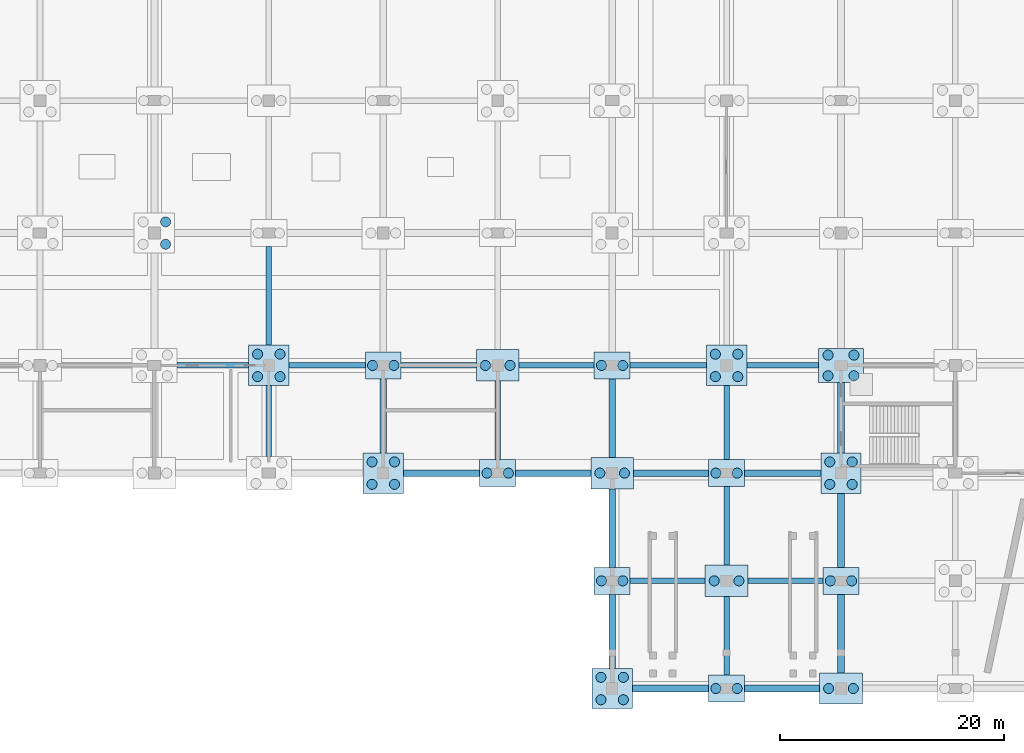
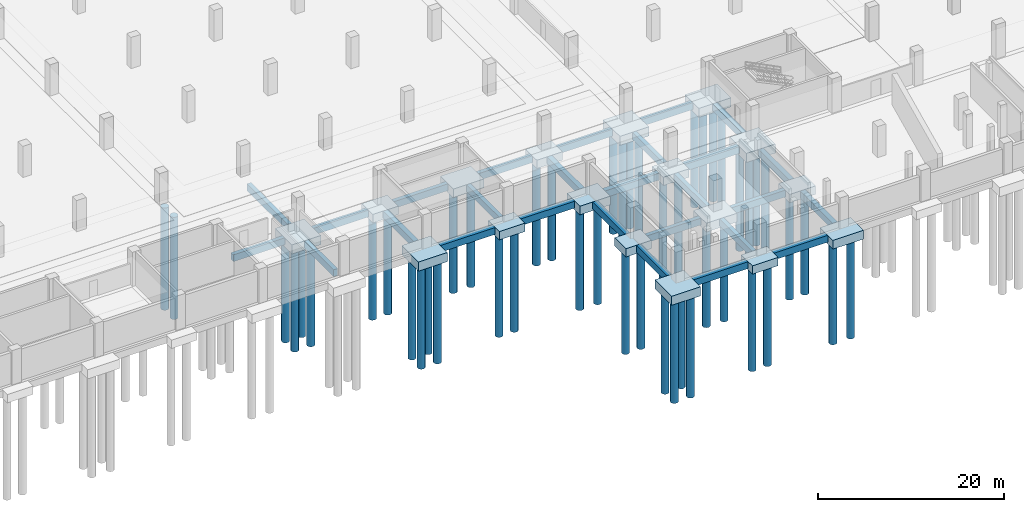
# One storey, part 3 of 52: 48 piles, 44 footings.
"""IFC4 building model written with IfcOpenShell, lengths in metres."""

from ifc_helpers import new_model, si_unit, direction, frame, origin, origin_2d, place, context, subcontext, project, spatial, polyline, rectangle, circle, outline, extrude, material, material_profile, profile_set, type_object, element, save


model = new_model("IFC4")

# Units and contexts
model_context = context("Model", 3, precision=1e-05, world=origin(), true_north=direction((0.0, 1.0)))
body_context = subcontext(model_context, "Body", "Model", "MODEL_VIEW")
ifc_project = project(units=[si_unit("LENGTHUNIT", "METRE"), si_unit("AREAUNIT", "SQUARE_METRE"), si_unit("VOLUMEUNIT", "CUBIC_METRE"), si_unit("PLANEANGLEUNIT", "RADIAN"), si_unit("MASSUNIT", "GRAM", prefix="KILO")], contexts=[model_context])

# Site, building, storey
site_placement = place(None, origin())
site = spatial("IfcSite", under=ifc_project, at=site_placement, CompositionType="ELEMENT")
building_placement = place(site_placement, origin())
building = spatial("IfcBuilding", under=site, at=building_placement, Name="Brelvane Convention Centre", CompositionType="ELEMENT")
storey_placement = place(building_placement, frame((0.0, 0.0, -4.5)))
storey = spatial("IfcBuildingStorey", under=building, at=storey_placement, Name="B1", CompositionType="ELEMENT", Elevation=-4.5)

# Piles
ifc_material_1 = material(Name="Concrete M40", Category="concrete")
ifc_material_profile_1 = material_profile(ifc_material_1, circle(Radius=0.449951171875, at=origin_2d()), Name="PILE D900")
ifc_profile_set_1 = profile_set([ifc_material_profile_1], Name="Concrete M40")
pile_type = type_object("IfcPileType", Name="Bored Pile PL-900", PredefinedType="BORED", material=ifc_profile_set_1)
for number, where, z_axis, x_axis, name in (
    (1, (62.199951171875, 39.60009765625, -1.550048828125), (0.0, 0.0, -1.0), (1.0, 0.0, 0.0), "Bored Pile PL-900 7-E-2"),
    (2, (62.199951171875, 41.60009765625, -1.550048828125), (0.0, 0.0, -1.0), (1.0, 0.0, 0.0), "Bored Pile PL-900 7-E-4"),
    (3, (70.39990234375, 27.800048828125, -1.550048828125), (0.0, 0.0, -1.0), (1.0, 0.0, 0.0), "Bored Pile PL-900 8-D-1"),
    (4, (72.39990234375, 27.800048828125, -1.550048828125), (0.0, 0.0, -1.0), (1.0, 0.0, 0.0), "Bored Pile PL-900 8-D-2"),
    (5, (70.39990234375, 29.800048828125, -1.550048828125), (0.0, 0.0, -1.0), (1.0, 0.0, 0.0), "Bored Pile PL-900 8-D-3"),
    (6, (72.39990234375, 29.800048828125, -1.550048828125), (0.0, 0.0, -1.0), (1.0, 0.0, 0.0), "Bored Pile PL-900 8-D-4"),
    (7, (80.60009765625, 18.199951171875, -1.550048828125), (0.0, 0.0, -1.0), (1.0, 0.0, 0.0), "Bored Pile PL-900 9-C-1"),
    (8, (82.60009765625, 18.199951171875, -1.550048828125), (0.0, 0.0, -1.0), (1.0, 0.0, 0.0), "Bored Pile PL-900 9-C-2"),
    (9, (80.60009765625, 20.199951171875, -1.550048828125), (0.0, 0.0, -1.0), (1.0, 0.0, 0.0), "Bored Pile PL-900 9-C-3"),
    (10, (82.60009765625, 20.199951171875, -1.550048828125), (0.0, 0.0, -1.0), (1.0, 0.0, 0.0), "Bored Pile PL-900 9-C-4"),
):
    element("IfcPile", number, at=place(storey_placement, frame(where, z_axis=z_axis, x_axis=x_axis)), inside=storey, type_object=pile_type, Name=name, PredefinedType="BORED", context=body_context, shape_type="SweptSolid", body=[
        extrude(circle(Radius=0.449951171875, at=origin_2d()), origin(), (0.0, 0.0, 1.0), 13.449951171875),
    ])
for number, where, z_axis, x_axis, name in (
    (11, (80.64990234375, 28.800048828125, -1.449951171875), (0.0, 0.0, -1.0), (1.0, 0.0, 0.0), "Bored Pile PL-900 9-D-1"),
    (12, (82.550048828125, 28.800048828125, -1.449951171875), (0.0, 0.0, -1.0), (1.0, 0.0, 0.0), "Bored Pile PL-900 9-D-2"),
    (13, (90.85009765625, 19.199951171875, -1.449951171875), (0.0, 0.0, -1.0), (1.0, 0.0, 0.0), "Bored Pile PL-900 10-C-1"),
    (14, (92.75, 19.199951171875, -1.449951171875), (0.0, 0.0, -1.0), (1.0, 0.0, 0.0), "Bored Pile PL-900 10-C-2"),
):
    element("IfcPile", number, at=place(storey_placement, frame(where, z_axis=z_axis, x_axis=x_axis)), inside=storey, type_object=pile_type, Name=name, PredefinedType="BORED", context=body_context, shape_type="SweptSolid", body=[
        extrude(circle(Radius=0.449951171875, at=origin_2d()), origin(), (0.0, 0.0, 1.0), 13.550048828125),
    ])
for number, where, z_axis, x_axis, name in (
    (15, (90.699951171875, 28.800048828125, -1.5), (0.0, 0.0, -1.0), (1.0, 0.0, 0.0), "Bored Pile PL-900 10-D-1"),
    (16, (92.89990234375, 28.800048828125, -1.5), (0.0, 0.0, -1.0), (1.0, 0.0, 0.0), "Bored Pile PL-900 10-D-2"),
):
    element("IfcPile", number, at=place(storey_placement, frame(where, z_axis=z_axis, x_axis=x_axis)), inside=storey, type_object=pile_type, Name=name, PredefinedType="BORED", context=body_context, shape_type="SweptSolid", body=[
        extrude(circle(Radius=0.449951171875, at=origin_2d()), origin(), (0.0, 0.0, 1.0), 13.5),
    ])
for number, where, z_axis, x_axis, name in (
    (17, (101.0, -1.0, -1.550048828125), (0.0, 0.0, -1.0), (1.0, 0.0, 0.0), "Bored Pile PL-900 11-A-1"),
    (18, (103.0, -1.0, -1.550048828125), (0.0, 0.0, -1.0), (1.0, 0.0, 0.0), "Bored Pile PL-900 11-A-2"),
    (19, (101.0, 1.0, -1.550048828125), (0.0, 0.0, -1.0), (1.0, 0.0, 0.0), "Bored Pile PL-900 11-A-3"),
    (20, (103.0, 1.0, -1.550048828125), (0.0, 0.0, -1.0), (1.0, 0.0, 0.0), "Bored Pile PL-900 11-A-4"),
):
    element("IfcPile", number, at=place(storey_placement, frame(where, z_axis=z_axis, x_axis=x_axis)), inside=storey, type_object=pile_type, Name=name, PredefinedType="BORED", context=body_context, shape_type="SweptSolid", body=[
        extrude(circle(Radius=0.449951171875, at=origin_2d()), origin(), (0.0, 0.0, 1.0), 13.449951171875),
    ])
for number, where, z_axis, x_axis, name in (
    (21, (101.050048828125, 9.60009765625, -1.449951171875), (0.0, 0.0, -1.0), (1.0, 0.0, 0.0), "Bored Pile PL-900 11-B-1"),
    (22, (102.949951171875, 9.60009765625, -1.449951171875), (0.0, 0.0, -1.0), (1.0, 0.0, 0.0), "Bored Pile PL-900 11-B-2"),
):
    element("IfcPile", number, at=place(storey_placement, frame(where, z_axis=z_axis, x_axis=x_axis)), inside=storey, type_object=pile_type, Name=name, PredefinedType="BORED", context=body_context, shape_type="SweptSolid", body=[
        extrude(circle(Radius=0.449951171875, at=origin_2d()), origin(), (0.0, 0.0, 1.0), 13.550048828125),
    ])
for number, where, z_axis, x_axis, name in (
    (23, (100.89990234375, 19.199951171875, -1.5), (0.0, 0.0, -1.0), (1.0, 0.0, 0.0), "Bored Pile PL-900 11-C-1"),
    (24, (103.10009765625, 19.199951171875, -1.5), (0.0, 0.0, -1.0), (1.0, 0.0, 0.0), "Bored Pile PL-900 11-C-2"),
):
    element("IfcPile", number, at=place(storey_placement, frame(where, z_axis=z_axis, x_axis=x_axis)), inside=storey, type_object=pile_type, Name=name, PredefinedType="BORED", context=body_context, shape_type="SweptSolid", body=[
        extrude(circle(Radius=0.449951171875, at=origin_2d()), origin(), (0.0, 0.0, 1.0), 13.5),
    ])
for number, where, z_axis, x_axis, name in (
    (25, (101.050048828125, 28.800048828125, -1.449951171875), (0.0, 0.0, -1.0), (1.0, 0.0, 0.0), "Bored Pile PL-900 11-D-1"),
    (26, (102.949951171875, 28.800048828125, -1.449951171875), (0.0, 0.0, -1.0), (1.0, 0.0, 0.0), "Bored Pile PL-900 11-D-2"),
    (27, (111.25, 0.0, -1.449951171875), (0.0, 0.0, -1.0), (1.0, 0.0, 0.0), "Bored Pile PL-900 12-A-1"),
    (28, (113.14990234375, 0.0, -1.449951171875), (0.0, 0.0, -1.0), (1.0, 0.0, 0.0), "Bored Pile PL-900 12-A-2"),
):
    element("IfcPile", number, at=place(storey_placement, frame(where, z_axis=z_axis, x_axis=x_axis)), inside=storey, type_object=pile_type, Name=name, PredefinedType="BORED", context=body_context, shape_type="SweptSolid", body=[
        extrude(circle(Radius=0.449951171875, at=origin_2d()), origin(), (0.0, 0.0, 1.0), 13.550048828125),
    ])
for number, where, z_axis, x_axis, name in (
    (29, (111.10009765625, 9.60009765625, -1.5), (0.0, 0.0, -1.0), (1.0, 0.0, 0.0), "Bored Pile PL-900 12-B-1"),
    (30, (113.300048828125, 9.60009765625, -1.5), (0.0, 0.0, -1.0), (1.0, 0.0, 0.0), "Bored Pile PL-900 12-B-2"),
):
    element("IfcPile", number, at=place(storey_placement, frame(where, z_axis=z_axis, x_axis=x_axis)), inside=storey, type_object=pile_type, Name=name, PredefinedType="BORED", context=body_context, shape_type="SweptSolid", body=[
        extrude(circle(Radius=0.449951171875, at=origin_2d()), origin(), (0.0, 0.0, 1.0), 13.5),
    ])
for number, where, z_axis, x_axis, name in (
    (31, (111.25, 19.199951171875, -1.449951171875), (0.0, 0.0, -1.0), (1.0, 0.0, 0.0), "Bored Pile PL-900 12-C-1"),
    (32, (113.14990234375, 19.199951171875, -1.449951171875), (0.0, 0.0, -1.0), (1.0, 0.0, 0.0), "Bored Pile PL-900 12-C-2"),
):
    element("IfcPile", number, at=place(storey_placement, frame(where, z_axis=z_axis, x_axis=x_axis)), inside=storey, type_object=pile_type, Name=name, PredefinedType="BORED", context=body_context, shape_type="SweptSolid", body=[
        extrude(circle(Radius=0.449951171875, at=origin_2d()), origin(), (0.0, 0.0, 1.0), 13.550048828125),
    ])
for number, where, z_axis, x_axis, name in (
    (33, (111.199951171875, 27.800048828125, -1.550048828125), (0.0, 0.0, -1.0), (1.0, 0.0, 0.0), "Bored Pile PL-900 12-D-1"),
    (34, (113.199951171875, 27.800048828125, -1.550048828125), (0.0, 0.0, -1.0), (1.0, 0.0, 0.0), "Bored Pile PL-900 12-D-2"),
    (35, (111.199951171875, 29.800048828125, -1.550048828125), (0.0, 0.0, -1.0), (1.0, 0.0, 0.0), "Bored Pile PL-900 12-D-3"),
    (36, (113.199951171875, 29.800048828125, -1.550048828125), (0.0, 0.0, -1.0), (1.0, 0.0, 0.0), "Bored Pile PL-900 12-D-4"),
):
    element("IfcPile", number, at=place(storey_placement, frame(where, z_axis=z_axis, x_axis=x_axis)), inside=storey, type_object=pile_type, Name=name, PredefinedType="BORED", context=body_context, shape_type="SweptSolid", body=[
        extrude(circle(Radius=0.449951171875, at=origin_2d()), origin(), (0.0, 0.0, 1.0), 13.449951171875),
    ])
for number, where, z_axis, x_axis, name in (
    (37, (121.300048828125, 0.0, -1.5), (0.0, 0.0, -1.0), (1.0, 0.0, 0.0), "Bored Pile PL-900 13-A-1"),
    (38, (123.5, 0.0, -1.5), (0.0, 0.0, -1.0), (1.0, 0.0, 0.0), "Bored Pile PL-900 13-A-2"),
):
    element("IfcPile", number, at=place(storey_placement, frame(where, z_axis=z_axis, x_axis=x_axis)), inside=storey, type_object=pile_type, Name=name, PredefinedType="BORED", context=body_context, shape_type="SweptSolid", body=[
        extrude(circle(Radius=0.449951171875, at=origin_2d()), origin(), (0.0, 0.0, 1.0), 13.5),
    ])
for number, where, z_axis, x_axis, name in (
    (39, (121.449951171875, 9.60009765625, -1.449951171875), (0.0, 0.0, -1.0), (1.0, 0.0, 0.0), "Bored Pile PL-900 13-B-1"),
    (40, (123.35009765625, 9.60009765625, -1.449951171875), (0.0, 0.0, -1.0), (1.0, 0.0, 0.0), "Bored Pile PL-900 13-B-2"),
):
    element("IfcPile", number, at=place(storey_placement, frame(where, z_axis=z_axis, x_axis=x_axis)), inside=storey, type_object=pile_type, Name=name, PredefinedType="BORED", context=body_context, shape_type="SweptSolid", body=[
        extrude(circle(Radius=0.449951171875, at=origin_2d()), origin(), (0.0, 0.0, 1.0), 13.550048828125),
    ])
for number, where, z_axis, x_axis, name in (
    (41, (121.39990234375, 18.199951171875, -1.550048828125), (0.0, 0.0, -1.0), (1.0, 0.0, 0.0), "Bored Pile PL-900 13-C-1"),
    (42, (123.39990234375, 18.199951171875, -1.550048828125), (0.0, 0.0, -1.0), (1.0, 0.0, 0.0), "Bored Pile PL-900 13-C-2"),
    (43, (121.39990234375, 20.199951171875, -1.550048828125), (0.0, 0.0, -1.0), (1.0, 0.0, 0.0), "Bored Pile PL-900 13-C-3"),
    (44, (123.39990234375, 20.199951171875, -1.550048828125), (0.0, 0.0, -1.0), (1.0, 0.0, 0.0), "Bored Pile PL-900 13-C-4"),
    (45, (121.25, 27.8798828125, -1.550048828125), (0.0, 0.0, -1.0), (1.0, 0.0, 0.0), "Bored Pile PL-900 13-D-1"),
    (46, (123.550048828125, 27.8798828125, -1.550048828125), (0.0, 0.0, -1.0), (1.0, 0.0, 0.0), "Bored Pile PL-900 13-D-2"),
    (47, (121.25, 29.719970703125, -1.550048828125), (0.0, 0.0, -1.0), (1.0, 0.0, 0.0), "Bored Pile PL-900 13-D-3"),
    (48, (123.550048828125, 29.719970703125, -1.550048828125), (0.0, 0.0, -1.0), (1.0, 0.0, 0.0), "Bored Pile PL-900 13-D-4"),
):
    element("IfcPile", number, at=place(storey_placement, frame(where, z_axis=z_axis, x_axis=x_axis)), inside=storey, type_object=pile_type, Name=name, PredefinedType="BORED", context=body_context, shape_type="SweptSolid", body=[
        extrude(circle(Radius=0.449951171875, at=origin_2d()), origin(), (0.0, 0.0, 1.0), 13.449951171875),
    ])

# Footings
ifc_material_2 = material(Name="Concrete M40", Category="concrete")
ifc_material_profile_2 = material_profile(ifc_material_2, rectangle(XDim=0.60009765625, YDim=0.89990234375, at=origin_2d()), Name="RC 600x900")
ifc_profile_set_2 = profile_set([ifc_material_profile_2], Name="Concrete M40")
footing_type_1 = type_object("IfcFootingType", Name="Ground Tie Beam GB-1", PredefinedType="FOOTING_BEAM", material=ifc_profile_set_2)
footing_1_placement = place(storey_placement, frame((83.39990234375, 19.199951171875, -0.89990234375), z_axis=(1.0, 0.0, 0.0), x_axis=(0.0, 1.0, 0.0)))
element("IfcFooting", 49, at=footing_1_placement, inside=storey, type_object=footing_type_1, Name="Ground Tie Beam GB-1 9-10/C", PredefinedType="FOOTING_BEAM", context=body_context, shape_type="SweptSolid", body=[
    extrude(rectangle(XDim=0.60009765625, YDim=0.89990234375, at=origin_2d()), origin(), (0.0, 0.0, 1.0), 6.800048828125),
])
footing_2_placement = place(storey_placement, frame((81.60009765625, 21.0, -0.89990234375), z_axis=(0.0, 1.0, 0.0), x_axis=(-1.0, 0.0, 0.0)))
element("IfcFooting", 50, at=footing_2_placement, inside=storey, type_object=footing_type_1, Name="Ground Tie Beam GB-1 9/C-D", PredefinedType="FOOTING_BEAM", context=body_context, shape_type="SweptSolid", body=[
    extrude(rectangle(XDim=0.60009765625, YDim=0.89990234375, at=origin_2d()), origin(), (0.0, 0.0, 1.0), 6.60009765625),
])
footing_3_placement = place(storey_placement, frame((93.39990234375, 19.199951171875, -0.89990234375), z_axis=(1.0, 0.0, 0.0), x_axis=(0.0, 1.0, 0.0)))
element("IfcFooting", 51, at=footing_3_placement, inside=storey, type_object=footing_type_1, Name="Ground Tie Beam GB-1 10-11/C", PredefinedType="FOOTING_BEAM", context=body_context, shape_type="SweptSolid", body=[
    extrude(rectangle(XDim=0.60009765625, YDim=0.89990234375, at=origin_2d()), origin(), (0.0, 0.0, 1.0), 6.7001953125),
])
footing_4_placement = place(storey_placement, frame((103.800048828125, 0.0, -0.89990234375), z_axis=(1.0, 0.0, 0.0), x_axis=(0.0, 1.0, 0.0)))
element("IfcFooting", 52, at=footing_4_placement, inside=storey, type_object=footing_type_1, Name="Ground Tie Beam GB-1 11-12/A", PredefinedType="FOOTING_BEAM", context=body_context, shape_type="SweptSolid", body=[
    extrude(rectangle(XDim=0.60009765625, YDim=0.89990234375, at=origin_2d()), origin(), (0.0, 0.0, 1.0), 6.800048828125),
])
footing_5_placement = place(storey_placement, frame((102.0, 1.800048828125, -0.89990234375), z_axis=(0.0, 1.0, 0.0), x_axis=(-1.0, 0.0, 0.0)))
element("IfcFooting", 53, at=footing_5_placement, inside=storey, type_object=footing_type_1, Name="Ground Tie Beam GB-1 11/A-B", PredefinedType="FOOTING_BEAM", context=body_context, shape_type="SweptSolid", body=[
    extrude(rectangle(XDim=0.60009765625, YDim=0.89990234375, at=origin_2d()), origin(), (0.0, 0.0, 1.0), 6.599853515625),
])
footing_6_placement = place(storey_placement, frame((102.0, 10.800048828125, -0.89990234375), z_axis=(0.0, 1.0, 0.0), x_axis=(-1.0, 0.0, 0.0)))
element("IfcFooting", 54, at=footing_6_placement, inside=storey, type_object=footing_type_1, Name="Ground Tie Beam GB-1 11/B-C", PredefinedType="FOOTING_BEAM", context=body_context, shape_type="SweptSolid", body=[
    extrude(rectangle(XDim=0.60009765625, YDim=0.89990234375, at=origin_2d()), origin(), (0.0, 0.0, 1.0), 7.0),
])
footing_7_placement = place(storey_placement, frame((103.89990234375, 19.199951171875, -0.89990234375), z_axis=(1.0, 0.0, 0.0), x_axis=(0.0, 1.0, 0.0)))
element("IfcFooting", 55, at=footing_7_placement, inside=storey, type_object=footing_type_1, Name="Ground Tie Beam GB-1 11-12/C", PredefinedType="FOOTING_BEAM", context=body_context, shape_type="SweptSolid", body=[
    extrude(rectangle(XDim=0.60009765625, YDim=0.89990234375, at=origin_2d()), origin(), (0.0, 0.0, 1.0), 6.7001953125),
])
footing_8_placement = place(storey_placement, frame((102.0, 20.60009765625, -0.89990234375), z_axis=(0.0, 1.0, 0.0), x_axis=(-1.0, 0.0, 0.0)))
element("IfcFooting", 56, at=footing_8_placement, inside=storey, type_object=footing_type_1, Name="Ground Tie Beam GB-1 11/C-D", PredefinedType="FOOTING_BEAM", context=body_context, shape_type="SweptSolid", body=[
    extrude(rectangle(XDim=0.60009765625, YDim=0.89990234375, at=origin_2d()), origin(), (0.0, 0.0, 1.0), 7.0),
])
footing_9_placement = place(storey_placement, frame((113.800048828125, 0.0, -0.89990234375), z_axis=(1.0, 0.0, 0.0), x_axis=(0.0, 1.0, 0.0)))
element("IfcFooting", 57, at=footing_9_placement, inside=storey, type_object=footing_type_1, Name="Ground Tie Beam GB-1 12-13/A", PredefinedType="FOOTING_BEAM", context=body_context, shape_type="SweptSolid", body=[
    extrude(rectangle(XDim=0.60009765625, YDim=0.89990234375, at=origin_2d()), origin(), (0.0, 0.0, 1.0), 6.699951171875),
])
footing_10_placement = place(storey_placement, frame((113.800048828125, 19.199951171875, -0.89990234375), z_axis=(1.0, 0.0, 0.0), x_axis=(0.0, 1.0, 0.0)))
element("IfcFooting", 58, at=footing_10_placement, inside=storey, type_object=footing_type_1, Name="Ground Tie Beam GB-1 12-13/C", PredefinedType="FOOTING_BEAM", context=body_context, shape_type="SweptSolid", body=[
    extrude(rectangle(XDim=0.60009765625, YDim=0.89990234375, at=origin_2d()), origin(), (0.0, 0.0, 1.0), 6.800048828125),
])
footing_11_placement = place(storey_placement, frame((122.39990234375, 1.39990234375, -0.89990234375), z_axis=(0.0, 1.0, 0.0), x_axis=(-1.0, 0.0, 0.0)))
element("IfcFooting", 59, at=footing_11_placement, inside=storey, type_object=footing_type_1, Name="Ground Tie Beam GB-1 13/A-B", PredefinedType="FOOTING_BEAM", context=body_context, shape_type="SweptSolid", body=[
    extrude(rectangle(XDim=0.60009765625, YDim=0.89990234375, at=origin_2d()), origin(), (0.0, 0.0, 1.0), 7.0),
])
footing_12_placement = place(storey_placement, frame((122.39990234375, 10.800048828125, -0.89990234375), z_axis=(0.0, 1.0, 0.0), x_axis=(-1.0, 0.0, 0.0)))
element("IfcFooting", 60, at=footing_12_placement, inside=storey, type_object=footing_type_1, Name="Ground Tie Beam GB-1 13/B-C", PredefinedType="FOOTING_BEAM", context=body_context, shape_type="SweptSolid", body=[
    extrude(rectangle(XDim=0.60009765625, YDim=0.89990234375, at=origin_2d()), origin(), (0.0, 0.0, 1.0), 6.599853515625),
])
footing_13_placement = place(storey_placement, frame((122.39990234375, 21.0, -0.89990234375), z_axis=(0.0, 1.0, 0.0), x_axis=(-1.0, 0.0, 0.0)))
element("IfcFooting", 61, at=footing_13_placement, inside=storey, type_object=footing_type_1, Name="Ground Tie Beam GB-1 13/C-D", PredefinedType="FOOTING_BEAM", context=body_context, shape_type="SweptSolid", body=[
    extrude(rectangle(XDim=0.60009765625, YDim=0.89990234375, at=origin_2d()), origin(), (0.0, 0.0, 1.0), 6.300048828125),
])
ifc_material_3 = material(Name="Concrete M40", Category="concrete")
ifc_material_profile_3 = material_profile(ifc_material_3, rectangle(XDim=0.5, YDim=0.89990234375, at=origin_2d()), Name="RC 500x900")
ifc_profile_set_3 = profile_set([ifc_material_profile_3], Name="Concrete M40")
footing_type_2 = type_object("IfcFootingType", Name="Ground Tie Beam GB-2", PredefinedType="FOOTING_BEAM", material=ifc_profile_set_3)
footing_14_placement = place(storey_placement, frame((63.199951171875, 28.800048828125, -0.89990234375), z_axis=(1.0, 0.0, 0.0), x_axis=(0.0, 1.0, 0.0)))
element("IfcFooting", 62, at=footing_14_placement, inside=storey, type_object=footing_type_2, Name="Ground Tie Beam GB-2 7-8/D", PredefinedType="FOOTING_BEAM", context=body_context, shape_type="SweptSolid", body=[
    extrude(rectangle(XDim=0.5, YDim=0.89990234375, at=origin_2d()), origin(), (0.0, 0.0, 1.0), 6.400146484375),
])
footing_15_placement = place(storey_placement, frame((71.39990234375, 20.699951171875, -0.89990234375), z_axis=(0.0, 1.0, 0.0), x_axis=(-1.0, 0.0, 0.0)))
element("IfcFooting", 63, at=footing_15_placement, inside=storey, type_object=footing_type_2, Name="Ground Tie Beam GB-2 8/C-D", PredefinedType="FOOTING_BEAM", context=body_context, shape_type="SweptSolid", body=[
    extrude(rectangle(XDim=0.5, YDim=0.89990234375, at=origin_2d()), origin(), (0.0, 0.0, 1.0), 6.300048828125),
])
footing_16_placement = place(storey_placement, frame((73.199951171875, 28.800048828125, -0.89990234375), z_axis=(1.0, 0.0, 0.0), x_axis=(0.0, 1.0, 0.0)))
element("IfcFooting", 64, at=footing_16_placement, inside=storey, type_object=footing_type_2, Name="Ground Tie Beam GB-2 8-9/D", PredefinedType="FOOTING_BEAM", context=body_context, shape_type="SweptSolid", body=[
    extrude(rectangle(XDim=0.5, YDim=0.89990234375, at=origin_2d()), origin(), (0.0, 0.0, 1.0), 6.800048828125),
])
footing_17_placement = place(storey_placement, frame((71.39990234375, 30.60009765625, -0.89990234375), z_axis=(0.0, 1.0, 0.0), x_axis=(-1.0, 0.0, 0.0)))
element("IfcFooting", 65, at=footing_17_placement, inside=storey, type_object=footing_type_2, Name="Ground Tie Beam GB-2 8/D-E", PredefinedType="FOOTING_BEAM", context=body_context, shape_type="SweptSolid", body=[
    extrude(rectangle(XDim=0.5, YDim=0.89990234375, at=origin_2d()), origin(), (0.0, 0.0, 1.0), 8.7998046875),
])
footing_18_placement = place(storey_placement, frame((83.199951171875, 28.800048828125, -0.89990234375), z_axis=(1.0, 0.0, 0.0), x_axis=(0.0, 1.0, 0.0)))
element("IfcFooting", 66, at=footing_18_placement, inside=storey, type_object=footing_type_2, Name="Ground Tie Beam GB-2 9-10/D", PredefinedType="FOOTING_BEAM", context=body_context, shape_type="SweptSolid", body=[
    extrude(rectangle(XDim=0.5, YDim=0.89990234375, at=origin_2d()), origin(), (0.0, 0.0, 1.0), 6.699951171875),
])
footing_19_placement = place(storey_placement, frame((91.800048828125, 20.39990234375, -0.89990234375), z_axis=(0.0, 1.0, 0.0), x_axis=(-1.0, 0.0, 0.0)))
element("IfcFooting", 67, at=footing_19_placement, inside=storey, type_object=footing_type_2, Name="Ground Tie Beam GB-2 10/C-D", PredefinedType="FOOTING_BEAM", context=body_context, shape_type="SweptSolid", body=[
    extrude(rectangle(XDim=0.5, YDim=0.89990234375, at=origin_2d()), origin(), (0.0, 0.0, 1.0), 7.0),
])
for number, where, z_axis, x_axis, name in (
    (68, (93.699951171875, 28.800048828125, -0.89990234375), (1.0, 0.0, 0.0), (0.0, 1.0, 0.0), "Ground Tie Beam GB-2 10-11/D"),
    (69, (103.60009765625, 9.60009765625, -0.89990234375), (1.0, 0.0, 0.0), (0.0, 1.0, 0.0), "Ground Tie Beam GB-2 11-12/B"),
):
    element("IfcFooting", number, at=place(storey_placement, frame(where, z_axis=z_axis, x_axis=x_axis)), inside=storey, type_object=footing_type_2, Name=name, PredefinedType="FOOTING_BEAM", context=body_context, shape_type="SweptSolid", body=[
        extrude(rectangle(XDim=0.5, YDim=0.89990234375, at=origin_2d()), origin(), (0.0, 0.0, 1.0), 6.699951171875),
    ])
footing_20_placement = place(storey_placement, frame((103.60009765625, 28.800048828125, -0.89990234375), z_axis=(1.0, 0.0, 0.0), x_axis=(0.0, 1.0, 0.0)))
element("IfcFooting", 70, at=footing_20_placement, inside=storey, type_object=footing_type_2, Name="Ground Tie Beam GB-2 11-12/D", PredefinedType="FOOTING_BEAM", context=body_context, shape_type="SweptSolid", body=[
    extrude(rectangle(XDim=0.5, YDim=0.89990234375, at=origin_2d()), origin(), (0.0, 0.0, 1.0), 6.7998046875),
])
footing_21_placement = place(storey_placement, frame((112.199951171875, 1.199951171875, -0.89990234375), z_axis=(0.0, 1.0, 0.0), x_axis=(-1.0, 0.0, 0.0)))
element("IfcFooting", 71, at=footing_21_placement, inside=storey, type_object=footing_type_2, Name="Ground Tie Beam GB-2 12/A-B", PredefinedType="FOOTING_BEAM", context=body_context, shape_type="SweptSolid", body=[
    extrude(rectangle(XDim=0.5, YDim=0.89990234375, at=origin_2d()), origin(), (0.0, 0.0, 1.0), 7.0),
])
footing_22_placement = place(storey_placement, frame((114.10009765625, 9.60009765625, -0.89990234375), z_axis=(1.0, 0.0, 0.0), x_axis=(0.0, 1.0, 0.0)))
element("IfcFooting", 72, at=footing_22_placement, inside=storey, type_object=footing_type_2, Name="Ground Tie Beam GB-2 12-13/B", PredefinedType="FOOTING_BEAM", context=body_context, shape_type="SweptSolid", body=[
    extrude(rectangle(XDim=0.5, YDim=0.89990234375, at=origin_2d()), origin(), (0.0, 0.0, 1.0), 6.699951171875),
])
footing_23_placement = place(storey_placement, frame((112.199951171875, 11.0, -0.89990234375), z_axis=(0.0, 1.0, 0.0), x_axis=(-1.0, 0.0, 0.0)))
element("IfcFooting", 73, at=footing_23_placement, inside=storey, type_object=footing_type_2, Name="Ground Tie Beam GB-2 12/B-C", PredefinedType="FOOTING_BEAM", context=body_context, shape_type="SweptSolid", body=[
    extrude(rectangle(XDim=0.5, YDim=0.89990234375, at=origin_2d()), origin(), (0.0, 0.0, 1.0), 7.0),
])
footing_24_placement = place(storey_placement, frame((112.199951171875, 20.39990234375, -0.89990234375), z_axis=(0.0, 1.0, 0.0), x_axis=(-1.0, 0.0, 0.0)))
element("IfcFooting", 74, at=footing_24_placement, inside=storey, type_object=footing_type_2, Name="Ground Tie Beam GB-2 12/C-D", PredefinedType="FOOTING_BEAM", context=body_context, shape_type="SweptSolid", body=[
    extrude(rectangle(XDim=0.5, YDim=0.89990234375, at=origin_2d()), origin(), (0.0, 0.0, 1.0), 6.60009765625),
])
footing_25_placement = place(storey_placement, frame((114.0, 28.800048828125, -0.89990234375), z_axis=(1.0, 0.0, 0.0), x_axis=(0.0, 1.0, 0.0)))
element("IfcFooting", 75, at=footing_25_placement, inside=storey, type_object=footing_type_2, Name="Ground Tie Beam GB-2 12-13/D", PredefinedType="FOOTING_BEAM", context=body_context, shape_type="SweptSolid", body=[
    extrude(rectangle(XDim=0.5, YDim=0.89990234375, at=origin_2d()), origin(), (0.0, 0.0, 1.0), 6.39990234375),
])
ifc_material_4 = material(Name="Concrete M40", Category="concrete")
footing_type_3 = type_object("IfcFootingType", Name="Pile Cap PC-2", PredefinedType="PILE_CAP", material=ifc_material_4)
footing_26_placement = place(storey_placement, frame((0.0, 0.0, -1.550048828125)))
element("IfcFooting", 76, at=footing_26_placement, inside=storey, type_object=footing_type_3, Name="Pile Cap PC-2 at 9-D", PredefinedType="PILE_CAP", context=body_context, shape_type="SweptSolid", body=[
    extrude(outline(polyline([(80.0, 27.60009765625), (83.199951171875, 27.60009765625), (83.199951171875, 30.0), (80.0, 30.0), (80.0, 27.60009765625)])), origin(), (0.0, 0.0, 1.0), 1.10009765625),
])
footing_27_placement = place(storey_placement, frame((0.0, 0.0, -1.550048828125)))
element("IfcFooting", 77, at=footing_27_placement, inside=storey, type_object=footing_type_3, Name="Pile Cap PC-2 at 10-C", PredefinedType="PILE_CAP", context=body_context, shape_type="SweptSolid", body=[
    extrude(outline(polyline([(90.199951171875, 18.0), (93.39990234375, 18.0), (93.39990234375, 20.39990234375), (90.199951171875, 20.39990234375), (90.199951171875, 18.0)])), origin(), (0.0, 0.0, 1.0), 1.10009765625),
])
footing_28_placement = place(storey_placement, frame((0.0, 0.0, -1.550048828125)))
element("IfcFooting", 78, at=footing_28_placement, inside=storey, type_object=footing_type_3, Name="Pile Cap PC-2 at 11-B", PredefinedType="PILE_CAP", context=body_context, shape_type="SweptSolid", body=[
    extrude(outline(polyline([(100.39990234375, 8.39990234375), (103.60009765625, 8.39990234375), (103.60009765625, 10.800048828125), (100.39990234375, 10.800048828125), (100.39990234375, 8.39990234375)])), origin(), (0.0, 0.0, 1.0), 1.10009765625),
])
footing_29_placement = place(storey_placement, frame((0.0, 0.0, -1.550048828125)))
element("IfcFooting", 79, at=footing_29_placement, inside=storey, type_object=footing_type_3, Name="Pile Cap PC-2 at 11-D", PredefinedType="PILE_CAP", context=body_context, shape_type="SweptSolid", body=[
    extrude(outline(polyline([(100.39990234375, 27.60009765625), (103.60009765625, 27.60009765625), (103.60009765625, 30.0), (100.39990234375, 30.0), (100.39990234375, 27.60009765625)])), origin(), (0.0, 0.0, 1.0), 1.10009765625),
])
footing_30_placement = place(storey_placement, frame((0.0, 0.0, -1.550048828125)))
element("IfcFooting", 80, at=footing_30_placement, inside=storey, type_object=footing_type_3, Name="Pile Cap PC-2 at 12-A", PredefinedType="PILE_CAP", context=body_context, shape_type="SweptSolid", body=[
    extrude(outline(polyline([(110.60009765625, -1.199951171875), (113.800048828125, -1.199951171875), (113.800048828125, 1.199951171875), (110.60009765625, 1.199951171875), (110.60009765625, -1.199951171875)])), origin(), (0.0, 0.0, 1.0), 1.10009765625),
])
footing_31_placement = place(storey_placement, frame((0.0, 0.0, -1.550048828125)))
element("IfcFooting", 81, at=footing_31_placement, inside=storey, type_object=footing_type_3, Name="Pile Cap PC-2 at 12-C", PredefinedType="PILE_CAP", context=body_context, shape_type="SweptSolid", body=[
    extrude(outline(polyline([(110.60009765625, 18.0), (113.800048828125, 18.0), (113.800048828125, 20.39990234375), (110.60009765625, 20.39990234375), (110.60009765625, 18.0)])), origin(), (0.0, 0.0, 1.0), 1.10009765625),
])
footing_32_placement = place(storey_placement, frame((0.0, 0.0, -1.550048828125)))
element("IfcFooting", 82, at=footing_32_placement, inside=storey, type_object=footing_type_3, Name="Pile Cap PC-2 at 13-B", PredefinedType="PILE_CAP", context=body_context, shape_type="SweptSolid", body=[
    extrude(outline(polyline([(120.800048828125, 8.39990234375), (124.0, 8.39990234375), (124.0, 10.800048828125), (120.800048828125, 10.800048828125), (120.800048828125, 8.39990234375)])), origin(), (0.0, 0.0, 1.0), 1.10009765625),
])
ifc_material_5 = material(Name="Concrete M40", Category="concrete")
footing_type_4 = type_object("IfcFootingType", Name="Pile Cap PC-3", PredefinedType="PILE_CAP", material=ifc_material_5)
footing_33_placement = place(storey_placement, frame((0.0, 0.0, -1.64990234375)))
element("IfcFooting", 83, at=footing_33_placement, inside=storey, type_object=footing_type_4, Name="Pile Cap PC-3 at 8-D", PredefinedType="PILE_CAP", context=body_context, shape_type="SweptSolid", body=[
    extrude(outline(polyline([(69.60009765625, 27.0), (73.199951171875, 27.0), (73.199951171875, 30.60009765625), (69.60009765625, 30.60009765625), (69.60009765625, 27.0)])), origin(), (0.0, 0.0, 1.0), 1.199951171875),
])
footing_34_placement = place(storey_placement, frame((0.0, 0.0, -1.64990234375)))
element("IfcFooting", 84, at=footing_34_placement, inside=storey, type_object=footing_type_4, Name="Pile Cap PC-3 at 9-C", PredefinedType="PILE_CAP", context=body_context, shape_type="SweptSolid", body=[
    extrude(outline(polyline([(79.800048828125, 17.39990234375), (83.39990234375, 17.39990234375), (83.39990234375, 21.0), (79.800048828125, 21.0), (79.800048828125, 17.39990234375)])), origin(), (0.0, 0.0, 1.0), 1.199951171875),
])
footing_35_placement = place(storey_placement, frame((0.0, 0.0, -1.64990234375)))
element("IfcFooting", 85, at=footing_35_placement, inside=storey, type_object=footing_type_4, Name="Pile Cap PC-3 at 11-A", PredefinedType="PILE_CAP", context=body_context, shape_type="SweptSolid", body=[
    extrude(outline(polyline([(100.199951171875, -1.800048828125), (103.800048828125, -1.800048828125), (103.800048828125, 1.800048828125), (100.199951171875, 1.800048828125), (100.199951171875, -1.800048828125)])), origin(), (0.0, 0.0, 1.0), 1.199951171875),
])
footing_36_placement = place(storey_placement, frame((0.0, 0.0, -1.64990234375)))
element("IfcFooting", 86, at=footing_36_placement, inside=storey, type_object=footing_type_4, Name="Pile Cap PC-3 at 12-D", PredefinedType="PILE_CAP", context=body_context, shape_type="SweptSolid", body=[
    extrude(outline(polyline([(110.39990234375, 27.0), (114.0, 27.0), (114.0, 30.60009765625), (110.39990234375, 30.60009765625), (110.39990234375, 27.0)])), origin(), (0.0, 0.0, 1.0), 1.199951171875),
])
footing_37_placement = place(storey_placement, frame((0.0, 0.0, -1.64990234375)))
element("IfcFooting", 87, at=footing_37_placement, inside=storey, type_object=footing_type_4, Name="Pile Cap PC-3 at 13-C", PredefinedType="PILE_CAP", context=body_context, shape_type="SweptSolid", body=[
    extrude(outline(polyline([(120.60009765625, 17.39990234375), (124.199951171875, 17.39990234375), (124.199951171875, 21.0), (120.60009765625, 21.0), (120.60009765625, 17.39990234375)])), origin(), (0.0, 0.0, 1.0), 1.199951171875),
])
ifc_material_6 = material(Name="Concrete M40", Category="concrete")
footing_type_5 = type_object("IfcFootingType", Name="Pile Cap PC-4", PredefinedType="PILE_CAP", material=ifc_material_6)
footing_38_placement = place(storey_placement, frame((0.0, 0.0, -1.64990234375)))
element("IfcFooting", 88, at=footing_38_placement, inside=storey, type_object=footing_type_5, Name="Pile Cap PC-4 at 13-D", PredefinedType="PILE_CAP", context=body_context, shape_type="SweptSolid", body=[
    extrude(outline(polyline([(120.39990234375, 27.300048828125), (124.39990234375, 27.300048828125), (124.39990234375, 30.300048828125), (120.39990234375, 30.300048828125), (120.39990234375, 27.300048828125)])), origin(), (0.0, 0.0, 1.0), 1.199951171875),
])
ifc_material_7 = material(Name="Concrete M40", Category="concrete")
footing_type_6 = type_object("IfcFootingType", Name="Pile Cap PC-9", PredefinedType="PILE_CAP", material=ifc_material_7)
footing_39_placement = place(storey_placement, frame((0.0, 0.0, -1.60009765625)))
element("IfcFooting", 89, at=footing_39_placement, inside=storey, type_object=footing_type_6, Name="Pile Cap PC-9 at 10-D", PredefinedType="PILE_CAP", context=body_context, shape_type="SweptSolid", body=[
    extrude(outline(polyline([(89.89990234375, 27.39990234375), (93.699951171875, 27.39990234375), (93.699951171875, 30.199951171875), (89.89990234375, 30.199951171875), (89.89990234375, 27.39990234375)])), origin(), (0.0, 0.0, 1.0), 1.150146484375),
])
footing_40_placement = place(storey_placement, frame((0.0, 0.0, -1.60009765625)))
element("IfcFooting", 90, at=footing_40_placement, inside=storey, type_object=footing_type_6, Name="Pile Cap PC-9 at 11-C", PredefinedType="PILE_CAP", context=body_context, shape_type="SweptSolid", body=[
    extrude(outline(polyline([(100.10009765625, 17.800048828125), (103.89990234375, 17.800048828125), (103.89990234375, 20.60009765625), (100.10009765625, 20.60009765625), (100.10009765625, 17.800048828125)])), origin(), (0.0, 0.0, 1.0), 1.150146484375),
])
footing_41_placement = place(storey_placement, frame((0.0, 0.0, -1.60009765625)))
element("IfcFooting", 91, at=footing_41_placement, inside=storey, type_object=footing_type_6, Name="Pile Cap PC-9 at 12-B", PredefinedType="PILE_CAP", context=body_context, shape_type="SweptSolid", body=[
    extrude(outline(polyline([(110.300048828125, 8.199951171875), (114.10009765625, 8.199951171875), (114.10009765625, 11.0), (110.300048828125, 11.0), (110.300048828125, 8.199951171875)])), origin(), (0.0, 0.0, 1.0), 1.150146484375),
])
footing_42_placement = place(storey_placement, frame((0.0, 0.0, -1.60009765625)))
element("IfcFooting", 92, at=footing_42_placement, inside=storey, type_object=footing_type_6, Name="Pile Cap PC-9 at 13-A", PredefinedType="PILE_CAP", context=body_context, shape_type="SweptSolid", body=[
    extrude(outline(polyline([(120.5, -1.39990234375), (124.300048828125, -1.39990234375), (124.300048828125, 1.39990234375), (120.5, 1.39990234375), (120.5, -1.39990234375)])), origin(), (0.0, 0.0, 1.0), 1.150146484375),
])

save(model, "model.ifc")
